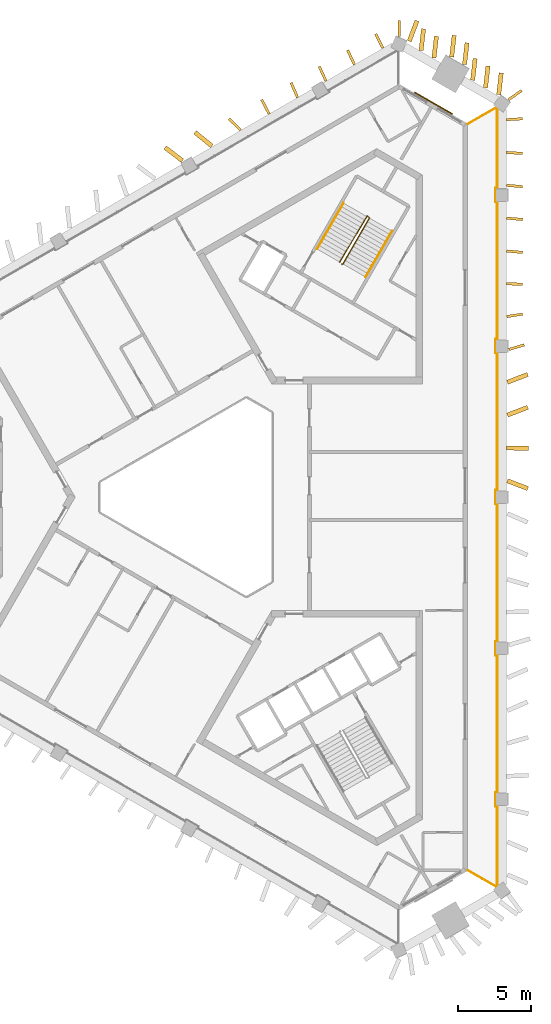
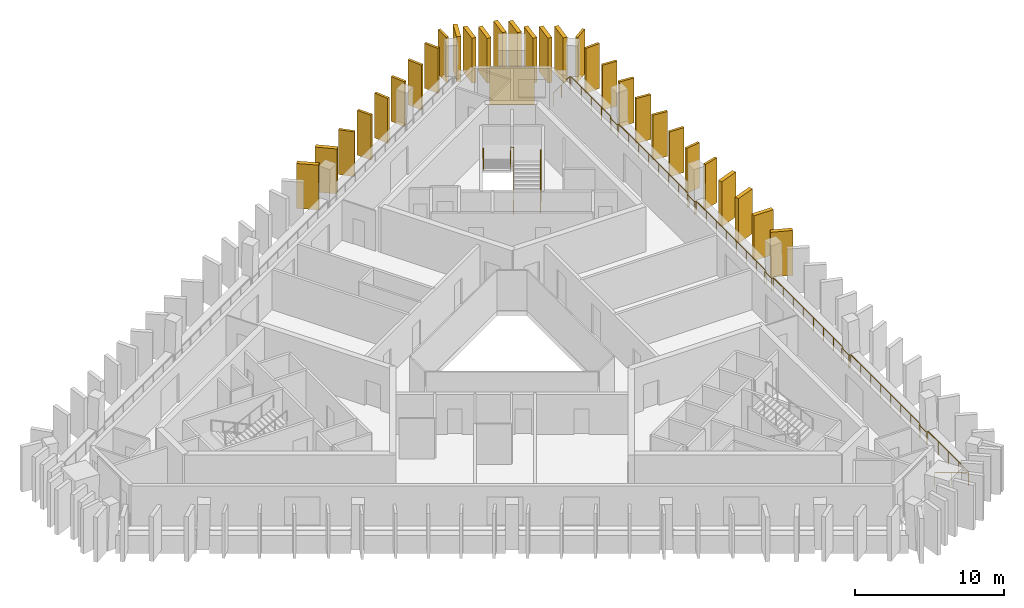
# One storey, part 9 of 9: 30 shading devices, 4 railings, 1 covering.
"""IFC4 building model written with IfcOpenShell, lengths in metres."""

from ifc_helpers import new_model, si_unit, direction, frame, frame_2d, origin, origin_2d, place, context, subcontext, project, spatial, rectangle, circle, extrude, material, layer, layer_set, type_object, element, save


model = new_model("IFC4")

# Units and contexts
model_context = context("Model", 3, precision=1e-05, world=origin(), true_north=direction((0.0, 1.0)))
body_context = subcontext(model_context, "Body", "Model", "MODEL_VIEW")
ifc_project = project(units=[si_unit("LENGTHUNIT", "METRE"), si_unit("AREAUNIT", "SQUARE_METRE"), si_unit("VOLUMEUNIT", "CUBIC_METRE"), si_unit("PLANEANGLEUNIT", "RADIAN"), si_unit("MASSUNIT", "GRAM", prefix="KILO")], contexts=[model_context])

# Site, building, storey
site_placement = place(None, origin())
site = spatial("IfcSite", under=ifc_project, at=site_placement, CompositionType="ELEMENT")
building_placement = place(site_placement, origin())
building = spatial("IfcBuilding", under=site, at=building_placement, Name="Jabali Bay Hotel Tower and Convention Centre", CompositionType="ELEMENT")
storey_placement = place(building_placement, frame((0.0, 0.0, 213.199951171875)))
storey = spatial("IfcBuildingStorey", under=building, at=storey_placement, Name="L52", CompositionType="ELEMENT", Elevation=213.199951171875)

# Railing
ifc_material_1 = material(Name="Glass", Category="glass")
railing_type_1 = type_object("IfcRailingType", Name="Loggia glass guard 1100", PredefinedType="BALUSTRADE", material=ifc_material_1)
railing_1_placement = place(storey_placement, frame((93.00146484375, 105.653564453125, 0.0)))
element("IfcRailing", 1, at=railing_1_placement, inside=storey, type_object=railing_type_1, Name="Loggia glass guard L52", PredefinedType="BALUSTRADE", context=body_context, shape_type="SweptSolid", body=[
    extrude(circle(Radius=0.02490234375, at=origin_2d()), frame((0.0, 0.0, 1.0751953125), z_axis=(0.866008297462, 0.50002962785, 0.0), x_axis=(-0.495751805066, 0.858599476426, 0.13052619222)), (0.0, 0.0, 1.0), 2.247314453125),
    extrude(circle(Radius=0.02490234375, at=origin_2d()), frame((1.9462890625, 1.123779296875, 1.0751953125), z_axis=(0.798254982386, -0.602319668528, 0.0), x_axis=(0.597166740266, 0.791425800353, 0.13052619222)), (0.0, 0.0, 1.0), 0.0673828125),
    extrude(circle(Radius=0.02490234375, at=origin_2d()), frame((2.0, 1.083251953125, 1.0751953125), z_axis=(0.0, -1.0, 0.0), x_axis=(0.991444861374, 0.0, 0.13052619222)), (0.0, 0.0, 1.0), 5.4892578125),
    extrude(circle(Radius=0.02490234375, at=origin_2d()), frame((2.0, -4.406005859375, 1.0751953125), z_axis=(-1.0, 0.0, 0.0), x_axis=(0.0, -0.991444861374, 0.13052619222)), (0.0, 0.0, 1.0), 0.125),
    extrude(circle(Radius=0.02490234375, at=origin_2d()), frame((1.875, -4.406005859375, 1.0751953125), z_axis=(0.0, -1.0, 0.0), x_axis=(0.991444861374, 0.0, 0.13052619222)), (0.0, 0.0, 1.0), 0.949951171875),
    extrude(circle(Radius=0.02490234375, at=origin_2d()), frame((1.875, -5.35595703125, 1.0751953125), z_axis=(1.0, 0.0, 0.0), x_axis=(0.0, 0.991444861374, 0.13052619222)), (0.0, 0.0, 1.0), 0.125),
    extrude(circle(Radius=0.02490234375, at=origin_2d()), frame((2.0, -5.35595703125, 1.0751953125), z_axis=(0.0, -1.0, 0.0), x_axis=(0.991444861374, 0.0, 0.13052619222)), (0.0, 0.0, 1.0), 9.436279296875),
    extrude(circle(Radius=0.02490234375, at=origin_2d()), frame((2.0, -14.792236328125, 1.0751953125), z_axis=(-1.0, 0.0, 0.0), x_axis=(0.0, -0.991444861374, 0.13052619222)), (0.0, 0.0, 1.0), 0.125),
    extrude(circle(Radius=0.02490234375, at=origin_2d()), frame((1.875, -14.792236328125, 1.0751953125), z_axis=(0.0, -1.0, 0.0), x_axis=(0.991444861374, 0.0, 0.13052619222)), (0.0, 0.0, 1.0), 0.949951171875),
    extrude(circle(Radius=0.02490234375, at=origin_2d()), frame((1.875, -15.7421875, 1.0751953125), z_axis=(1.0, 0.0, 0.0), x_axis=(0.0, 0.991444861374, 0.13052619222)), (0.0, 0.0, 1.0), 0.125),
    extrude(circle(Radius=0.02490234375, at=origin_2d()), frame((2.0, -15.7421875, 1.0751953125), z_axis=(0.0, -1.0, 0.0), x_axis=(0.991444861374, 0.0, 0.13052619222)), (0.0, 0.0, 1.0), 9.436279296875),
    extrude(circle(Radius=0.02490234375, at=origin_2d()), frame((2.0, -25.178466796875, 1.0751953125), z_axis=(-1.0, 0.0, 0.0), x_axis=(0.0, -0.991444861374, 0.13052619222)), (0.0, 0.0, 1.0), 0.125),
    extrude(circle(Radius=0.02490234375, at=origin_2d()), frame((1.875, -25.178466796875, 1.0751953125), z_axis=(0.0, -1.0, 0.0), x_axis=(0.991444861374, 0.0, 0.13052619222)), (0.0, 0.0, 1.0), 0.9501953125),
    extrude(circle(Radius=0.02490234375, at=origin_2d()), frame((1.875, -26.128662109375, 1.0751953125), z_axis=(1.0, 0.0, 0.0), x_axis=(0.0, 0.991444861374, 0.13052619222)), (0.0, 0.0, 1.0), 0.125),
    extrude(circle(Radius=0.02490234375, at=origin_2d()), frame((2.0, -26.128662109375, 1.0751953125), z_axis=(0.0, -1.0, 0.0), x_axis=(0.991444861374, 0.0, 0.13052619222)), (0.0, 0.0, 1.0), 9.436279296875),
    extrude(circle(Radius=0.02490234375, at=origin_2d()), frame((2.0, -35.56494140625, 1.0751953125), z_axis=(-1.0, 0.0, 0.0), x_axis=(0.0, -0.991444861374, 0.13052619222)), (0.0, 0.0, 1.0), 0.125),
    extrude(circle(Radius=0.02490234375, at=origin_2d()), frame((1.875, -35.56494140625, 1.0751953125), z_axis=(0.0, -1.0, 0.0), x_axis=(0.991444861374, 0.0, 0.13052619222)), (0.0, 0.0, 1.0), 0.949951171875),
    extrude(circle(Radius=0.02490234375, at=origin_2d()), frame((1.875, -36.514892578125, 1.0751953125), z_axis=(1.0, 0.0, 0.0), x_axis=(0.0, 0.991444861374, 0.13052619222)), (0.0, 0.0, 1.0), 0.125),
    extrude(circle(Radius=0.02490234375, at=origin_2d()), frame((2.0, -36.514892578125, 1.0751953125), z_axis=(0.0, -1.0, 0.0), x_axis=(0.991444861374, 0.0, 0.13052619222)), (0.0, 0.0, 1.0), 9.436279296875),
    extrude(circle(Radius=0.02490234375, at=origin_2d()), frame((2.0, -45.951171875, 1.0751953125), z_axis=(-1.0, 0.0, 0.0), x_axis=(0.0, -0.991444861374, 0.13052619222)), (0.0, 0.0, 1.0), 0.125),
    extrude(circle(Radius=0.02490234375, at=origin_2d()), frame((1.875, -45.951171875, 1.0751953125), z_axis=(0.0, -1.0, 0.0), x_axis=(0.991444861374, 0.0, 0.13052619222)), (0.0, 0.0, 1.0), 0.949951171875),
    extrude(circle(Radius=0.02490234375, at=origin_2d()), frame((1.875, -46.901123046875, 1.0751953125), z_axis=(1.0, 0.0, 0.0), x_axis=(0.0, 0.991444861374, 0.13052619222)), (0.0, 0.0, 1.0), 0.125),
    extrude(circle(Radius=0.02490234375, at=origin_2d()), frame((2.0, -46.901123046875, 1.0751953125), z_axis=(0.0, -1.0, 0.0), x_axis=(0.991444861374, 0.0, 0.13052619222)), (0.0, 0.0, 1.0), 5.4892578125),
    extrude(circle(Radius=0.02490234375, at=origin_2d()), frame((2.0, -52.390380859375, 1.0751953125), z_axis=(-0.798254982386, -0.602319668528, 0.0), x_axis=(0.597166740266, -0.791425800353, 0.13052619222)), (0.0, 0.0, 1.0), 0.0673828125),
    extrude(circle(Radius=0.02490234375, at=origin_2d()), frame((1.9462890625, -52.430908203125, 1.0751953125), z_axis=(-0.866008297462, 0.50002962785, 0.0), x_axis=(-0.495751805066, -0.858599476426, 0.13052619222)), (0.0, 0.0, 1.0), 2.247314453125),
    extrude(circle(Radius=0.02001953125, at=origin_2d()), origin(), (0.0, 0.0, 1.0), 1.050048828125),
    extrude(circle(Radius=0.02001953125, at=origin_2d()), frame((0.97314453125, 0.56201171875, 0.0)), (0.0, 0.0, 1.0), 1.050048828125),
    extrude(circle(Radius=0.02001953125, at=origin_2d()), frame((1.9462890625, 1.123779296875, 0.0)), (0.0, 0.0, 1.0), 1.050048828125),
    extrude(circle(Radius=0.02001953125, at=origin_2d()), frame((2.0, 1.083251953125, 0.0)), (0.0, 0.0, 1.0), 1.050048828125),
    extrude(circle(Radius=0.02001953125, at=origin_2d()), frame((2.0, -0.2890625, 0.0)), (0.0, 0.0, 1.0), 1.050048828125),
    extrude(circle(Radius=0.02001953125, at=origin_2d()), frame((2.0, -1.661376953125, 0.0)), (0.0, 0.0, 1.0), 1.050048828125),
    extrude(circle(Radius=0.02001953125, at=origin_2d()), frame((2.0, -3.03369140625, 0.0)), (0.0, 0.0, 1.0), 1.050048828125),
    extrude(circle(Radius=0.02001953125, at=origin_2d()), frame((2.0, -4.406005859375, 0.0)), (0.0, 0.0, 1.0), 1.050048828125),
    extrude(circle(Radius=0.02001953125, at=origin_2d()), frame((1.875, -4.406005859375, 0.0)), (0.0, 0.0, 1.0), 1.050048828125),
    extrude(circle(Radius=0.02001953125, at=origin_2d()), frame((1.875, -5.35595703125, 0.0)), (0.0, 0.0, 1.0), 1.050048828125),
    extrude(circle(Radius=0.02001953125, at=origin_2d()), frame((2.0, -5.35595703125, 0.0)), (0.0, 0.0, 1.0), 1.050048828125),
    extrude(circle(Radius=0.02001953125, at=origin_2d()), frame((2.0, -6.7041015625, 0.0)), (0.0, 0.0, 1.0), 1.050048828125),
    extrude(circle(Radius=0.02001953125, at=origin_2d()), frame((2.0, -8.052001953125, 0.0)), (0.0, 0.0, 1.0), 1.050048828125),
    extrude(circle(Radius=0.02001953125, at=origin_2d()), frame((2.0, -9.400146484375, 0.0)), (0.0, 0.0, 1.0), 1.050048828125),
    extrude(circle(Radius=0.02001953125, at=origin_2d()), frame((2.0, -10.748046875, 0.0)), (0.0, 0.0, 1.0), 1.050048828125),
    extrude(circle(Radius=0.02001953125, at=origin_2d()), frame((2.0, -12.09619140625, 0.0)), (0.0, 0.0, 1.0), 1.050048828125),
    extrude(circle(Radius=0.02001953125, at=origin_2d()), frame((2.0, -13.444091796875, 0.0)), (0.0, 0.0, 1.0), 1.050048828125),
    extrude(circle(Radius=0.02001953125, at=origin_2d()), frame((2.0, -14.792236328125, 0.0)), (0.0, 0.0, 1.0), 1.050048828125),
    extrude(circle(Radius=0.02001953125, at=origin_2d()), frame((1.875, -14.792236328125, 0.0)), (0.0, 0.0, 1.0), 1.050048828125),
    extrude(circle(Radius=0.02001953125, at=origin_2d()), frame((1.875, -15.7421875, 0.0)), (0.0, 0.0, 1.0), 1.050048828125),
    extrude(circle(Radius=0.02001953125, at=origin_2d()), frame((2.0, -15.7421875, 0.0)), (0.0, 0.0, 1.0), 1.050048828125),
    extrude(circle(Radius=0.02001953125, at=origin_2d()), frame((2.0, -17.09033203125, 0.0)), (0.0, 0.0, 1.0), 1.050048828125),
    extrude(circle(Radius=0.02001953125, at=origin_2d()), frame((2.0, -18.438232421875, 0.0)), (0.0, 0.0, 1.0), 1.050048828125),
    extrude(circle(Radius=0.02001953125, at=origin_2d()), frame((2.0, -19.786376953125, 0.0)), (0.0, 0.0, 1.0), 1.050048828125),
    extrude(circle(Radius=0.02001953125, at=origin_2d()), frame((2.0, -21.13427734375, 0.0)), (0.0, 0.0, 1.0), 1.050048828125),
    extrude(circle(Radius=0.02001953125, at=origin_2d()), frame((2.0, -22.482421875, 0.0)), (0.0, 0.0, 1.0), 1.050048828125),
    extrude(circle(Radius=0.02001953125, at=origin_2d()), frame((2.0, -23.830322265625, 0.0)), (0.0, 0.0, 1.0), 1.050048828125),
    extrude(circle(Radius=0.02001953125, at=origin_2d()), frame((2.0, -25.178466796875, 0.0)), (0.0, 0.0, 1.0), 1.050048828125),
    extrude(circle(Radius=0.02001953125, at=origin_2d()), frame((1.875, -25.178466796875, 0.0)), (0.0, 0.0, 1.0), 1.050048828125),
    extrude(circle(Radius=0.02001953125, at=origin_2d()), frame((1.875, -26.128662109375, 0.0)), (0.0, 0.0, 1.0), 1.050048828125),
    extrude(circle(Radius=0.02001953125, at=origin_2d()), frame((2.0, -26.128662109375, 0.0)), (0.0, 0.0, 1.0), 1.050048828125),
    extrude(circle(Radius=0.02001953125, at=origin_2d()), frame((2.0, -27.476806640625, 0.0)), (0.0, 0.0, 1.0), 1.050048828125),
    extrude(circle(Radius=0.02001953125, at=origin_2d()), frame((2.0, -28.82470703125, 0.0)), (0.0, 0.0, 1.0), 1.050048828125),
    extrude(circle(Radius=0.02001953125, at=origin_2d()), frame((2.0, -30.1728515625, 0.0)), (0.0, 0.0, 1.0), 1.050048828125),
    extrude(circle(Radius=0.02001953125, at=origin_2d()), frame((2.0, -31.520751953125, 0.0)), (0.0, 0.0, 1.0), 1.050048828125),
    extrude(circle(Radius=0.02001953125, at=origin_2d()), frame((2.0, -32.868896484375, 0.0)), (0.0, 0.0, 1.0), 1.050048828125),
    extrude(circle(Radius=0.02001953125, at=origin_2d()), frame((2.0, -34.216796875, 0.0)), (0.0, 0.0, 1.0), 1.050048828125),
    extrude(circle(Radius=0.02001953125, at=origin_2d()), frame((2.0, -35.56494140625, 0.0)), (0.0, 0.0, 1.0), 1.050048828125),
    extrude(circle(Radius=0.02001953125, at=origin_2d()), frame((1.875, -35.56494140625, 0.0)), (0.0, 0.0, 1.0), 1.050048828125),
    extrude(circle(Radius=0.02001953125, at=origin_2d()), frame((1.875, -36.514892578125, 0.0)), (0.0, 0.0, 1.0), 1.050048828125),
    extrude(circle(Radius=0.02001953125, at=origin_2d()), frame((2.0, -36.514892578125, 0.0)), (0.0, 0.0, 1.0), 1.050048828125),
    extrude(circle(Radius=0.02001953125, at=origin_2d()), frame((2.0, -37.863037109375, 0.0)), (0.0, 0.0, 1.0), 1.050048828125),
    extrude(circle(Radius=0.02001953125, at=origin_2d()), frame((2.0, -39.2109375, 0.0)), (0.0, 0.0, 1.0), 1.050048828125),
    extrude(circle(Radius=0.02001953125, at=origin_2d()), frame((2.0, -40.55908203125, 0.0)), (0.0, 0.0, 1.0), 1.050048828125),
    extrude(circle(Radius=0.02001953125, at=origin_2d()), frame((2.0, -41.906982421875, 0.0)), (0.0, 0.0, 1.0), 1.050048828125),
    extrude(circle(Radius=0.02001953125, at=origin_2d()), frame((2.0, -43.255126953125, 0.0)), (0.0, 0.0, 1.0), 1.050048828125),
    extrude(circle(Radius=0.02001953125, at=origin_2d()), frame((2.0, -44.60302734375, 0.0)), (0.0, 0.0, 1.0), 1.050048828125),
    extrude(circle(Radius=0.02001953125, at=origin_2d()), frame((2.0, -45.951171875, 0.0)), (0.0, 0.0, 1.0), 1.050048828125),
    extrude(circle(Radius=0.02001953125, at=origin_2d()), frame((1.875, -45.951171875, 0.0)), (0.0, 0.0, 1.0), 1.050048828125),
    extrude(circle(Radius=0.02001953125, at=origin_2d()), frame((1.875, -46.901123046875, 0.0)), (0.0, 0.0, 1.0), 1.050048828125),
    extrude(circle(Radius=0.02001953125, at=origin_2d()), frame((2.0, -46.901123046875, 0.0)), (0.0, 0.0, 1.0), 1.050048828125),
    extrude(circle(Radius=0.02001953125, at=origin_2d()), frame((2.0, -48.2734375, 0.0)), (0.0, 0.0, 1.0), 1.050048828125),
    extrude(circle(Radius=0.02001953125, at=origin_2d()), frame((2.0, -49.645751953125, 0.0)), (0.0, 0.0, 1.0), 1.050048828125),
    extrude(circle(Radius=0.02001953125, at=origin_2d()), frame((2.0, -51.01806640625, 0.0)), (0.0, 0.0, 1.0), 1.050048828125),
    extrude(circle(Radius=0.02001953125, at=origin_2d()), frame((2.0, -52.390380859375, 0.0)), (0.0, 0.0, 1.0), 1.050048828125),
    extrude(circle(Radius=0.02001953125, at=origin_2d()), frame((1.9462890625, -52.430908203125, 0.0)), (0.0, 0.0, 1.0), 1.050048828125),
    extrude(circle(Radius=0.02001953125, at=origin_2d()), frame((0.97314453125, -51.869140625, 0.0)), (0.0, 0.0, 1.0), 1.050048828125),
    extrude(circle(Radius=0.02001953125, at=origin_2d()), frame((0.0, -51.30712890625, 0.0)), (0.0, 0.0, 1.0), 1.050048828125),
])

# Shading devices
ifc_material_2 = material(Name="Precast concrete C60", Category="concrete")
ifc_layer_1 = layer(ifc_material_2, 0.179931640625)
ifc_layer_set_1 = layer_set([ifc_layer_1], Name="Precast concrete C60")
shading_device_type_1 = type_object("IfcShadingDeviceType", Name="Precast fin 3680 x 1100", PredefinedType="USERDEFINED", material=ifc_layer_set_1)
for number, where, z_axis, x_axis, name in (
    (2, (95.8017578125, 90.150634765625, 0.010009765625), (0.0, 0.0, 1.0), (0.959195697667, 0.28274301685, 0.0), "Fin L52 016"),
    (3, (95.658447265625, 92.40625, 0.010009765625), (0.0, 0.0, 1.0), (0.986751465073, 0.162239163511, 0.0), "Fin L52 017"),
):
    element("IfcShadingDevice", number, at=place(storey_placement, frame(where, z_axis=z_axis, x_axis=x_axis)), inside=storey, type_object=shading_device_type_1, Name=name, ObjectType="FIN", PredefinedType="USERDEFINED", context=body_context, shape_type="SweptSolid", body=[
        extrude(rectangle(XDim=1.10009765625, YDim=0.179931640625, at=frame_2d((0.550048828125, 0.0))), origin(), (0.0, 0.0, 1.0), 3.679931640625),
    ])
for number, where, z_axis, x_axis, name in (
    (4, (95.64599609375, 94.661865234375, 0.010009765625), (0.0, 0.0, 1.0), (0.999701898349, -0.024415454889, 0.0), "Fin L52 018"),
    (5, (95.652099609375, 96.91748046875, 0.010009765625), (0.0, 0.0, 1.0), (0.99572783416, -0.092336776418, 0.0), "Fin L52 019"),
    (6, (95.651611328125, 99.173095703125, 0.010009765625), (0.0, 0.0, 1.0), (0.996342331037, -0.085451503107, 0.0), "Fin L52 020"),
):
    element("IfcShadingDevice", number, at=place(storey_placement, frame(where, z_axis=z_axis, x_axis=x_axis)), inside=storey, type_object=shading_device_type_1, Name=name, ObjectType="FIN", PredefinedType="USERDEFINED", context=body_context, shape_type="SweptSolid", body=[
        extrude(rectangle(XDim=1.099853515625, YDim=0.179931640625, at=frame_2d((0.5498046875, 0.0))), origin(), (0.0, 0.0, 1.0), 3.679931640625),
    ])
shading_device_1_placement = place(storey_placement, frame((95.6513671875, 101.428955078125, 0.010009765625), z_axis=(0.0, 0.0, 1.0), x_axis=(0.996512002617, -0.083449557457, 0.0)))
element("IfcShadingDevice", 7, at=shading_device_1_placement, inside=storey, type_object=shading_device_type_1, Name="Fin L52 021", ObjectType="FIN", PredefinedType="USERDEFINED", context=body_context, shape_type="SweptSolid", body=[
    extrude(rectangle(XDim=1.10009765625, YDim=0.179931640625, at=frame_2d((0.550048828125, 0.0))), origin(), (0.0, 0.0, 1.0), 3.679931640625),
])
for number, where, z_axis, x_axis, name in (
    (8, (95.649169921875, 103.6845703125, 0.010009765625), (0.0, 0.0, 1.0), (0.998294218493, -0.058383673441, 0.0), "Fin L52 022"),
    (9, (95.64892578125, 105.940185546875, 0.010009765625), (0.0, 0.0, 1.0), (0.998384311949, 0.056822228515, 0.0), "Fin L52 023"),
    (10, (87.14013671875, 110.85302734375, 0.010009765625), (0.0, 0.0, 1.0), (-0.445259248239, 0.895401698601, 0.0), "Fin L52 032"),
):
    element("IfcShadingDevice", number, at=place(storey_placement, frame(where, z_axis=z_axis, x_axis=x_axis)), inside=storey, type_object=shading_device_type_1, Name=name, ObjectType="FIN", PredefinedType="USERDEFINED", context=body_context, shape_type="SweptSolid", body=[
        extrude(rectangle(XDim=1.099853515625, YDim=0.179931640625, at=frame_2d((0.5498046875, 0.0))), origin(), (0.0, 0.0, 1.0), 3.679931640625),
    ])
shading_device_2_placement = place(storey_placement, frame((85.185791015625, 109.72705078125, 0.010009765625), z_axis=(0.0, 0.0, 1.0), x_axis=(-0.424342896049, 0.905501577344, 0.0)))
element("IfcShadingDevice", 11, at=shading_device_2_placement, inside=storey, type_object=shading_device_type_1, Name="Fin L52 033", ObjectType="FIN", PredefinedType="USERDEFINED", context=body_context, shape_type="SweptSolid", body=[
    extrude(rectangle(XDim=1.10009765625, YDim=0.179931640625, at=frame_2d((0.550048828125, 0.0))), origin(), (0.0, 0.0, 1.0), 3.679931640625),
])
for number, where, z_axis, x_axis, name in (
    (12, (83.23193359375, 108.599609375, 0.010009765625), (0.0, 0.0, 1.0), (-0.418847029159, 0.908056807785, 0.0), "Fin L52 034"),
    (13, (81.277587890625, 107.473388671875, 0.010009765625), (0.0, 0.0, 1.0), (-0.401086627647, 0.916040128555, 0.0), "Fin L52 035"),
):
    element("IfcShadingDevice", number, at=place(storey_placement, frame(where, z_axis=z_axis, x_axis=x_axis)), inside=storey, type_object=shading_device_type_1, Name=name, ObjectType="FIN", PredefinedType="USERDEFINED", context=body_context, shape_type="SweptSolid", body=[
        extrude(rectangle(XDim=1.099853515625, YDim=0.179931640625, at=frame_2d((0.5498046875, 0.0))), origin(), (0.0, 0.0, 1.0), 3.679931640625),
    ])
for number, where, z_axis, x_axis, name in (
    (14, (79.327392578125, 106.33984375, 0.010009765625), (0.0, 0.0, 1.0), (-0.465847047958, 0.884865259748, 0.0), "Fin L52 036"),
    (15, (77.363525390625, 105.230224609375, 0.010009765625), (0.0, 0.0, 1.0), (-0.71658501893, 0.697499756735, 0.0), "Fin L52 037"),
    (16, (95.77783203125, 107.314208984375, 0.010009765625), (0.0, 0.0, 1.0), (0.822016386523, 0.569463835804, 0.0), "Fin L52 097"),
):
    element("IfcShadingDevice", number, at=place(storey_placement, frame(where, z_axis=z_axis, x_axis=x_axis)), inside=storey, type_object=shading_device_type_1, Name=name, ObjectType="FIN", PredefinedType="USERDEFINED", context=body_context, shape_type="SweptSolid", body=[
        extrude(rectangle(XDim=1.10009765625, YDim=0.179931640625, at=frame_2d((0.550048828125, 0.0))), origin(), (0.0, 0.0, 1.0), 3.679931640625),
    ])
shading_device_3_placement = place(storey_placement, frame((88.265869140625, 111.6591796875, 0.010009765625), z_axis=(0.0, 0.0, 1.0), x_axis=(-0.003329615284, 0.999994456816, 0.0)))
element("IfcShadingDevice", 17, at=shading_device_3_placement, inside=storey, type_object=shading_device_type_1, Name="Fin L52 098", ObjectType="FIN", PredefinedType="USERDEFINED", context=body_context, shape_type="SweptSolid", body=[
    extrude(rectangle(XDim=1.099853515625, YDim=0.179931640625, at=frame_2d((0.5498046875, 0.0))), origin(), (0.0, 0.0, 1.0), 3.679931640625),
])
ifc_layer_2 = layer(ifc_material_2, 0.300048828125)
ifc_layer_set_2 = layer_set([ifc_layer_2], Name="Precast concrete C60")
shading_device_type_2 = type_object("IfcShadingDeviceType", Name="Precast fin 3680 x 1500", PredefinedType="USERDEFINED", material=ifc_layer_set_2)
shading_device_4_placement = place(storey_placement, frame((95.697021484375, 81.1279296875, 0.010009765625), z_axis=(0.0, 0.0, 1.0), x_axis=(0.934639759026, -0.355596007918, 0.0)))
element("IfcShadingDevice", 18, at=shading_device_4_placement, inside=storey, type_object=shading_device_type_2, Name="Fin L52 012", ObjectType="FIN", PredefinedType="USERDEFINED", context=body_context, shape_type="SweptSolid", body=[
    extrude(rectangle(XDim=1.500244140625, YDim=0.300048828125, at=frame_2d((0.75, 0.0))), origin(), (0.0, 0.0, 1.0), 3.679931640625),
])
for number, where, z_axis, x_axis, name in (
    (19, (95.646240234375, 83.383544921875, 0.010009765625), (0.0, 0.0, 1.0), (0.999877912303, -0.015625635615, 0.0), "Fin L52 013"),
    (20, (95.697265625, 85.63916015625, 0.010009765625), (0.0, 0.0, 1.0), (0.934069399325, 0.357091525025, 0.0), "Fin L52 014"),
    (21, (95.697998046875, 87.894775390625, 0.010009765625), (0.0, 0.0, 1.0), (0.932495607389, 0.361181314854, 0.0), "Fin L52 015"),
    (22, (95.102294921875, 107.659423828125, 0.010009765625), (0.0, 0.0, 1.0), (0.114753848896, 0.993393957181, 0.0), "Fin L52 024"),
    (23, (94.196044921875, 108.135009765625, 0.010009765625), (0.0, 0.0, 1.0), (0.114753848896, 0.993393957181, 0.0), "Fin L52 025"),
    (24, (93.310302734375, 108.646484375, 0.010009765625), (0.0, 0.0, 1.0), (0.114914472364, 0.993375389287, 0.0), "Fin L52 026"),
    (25, (92.756103515625, 109.731689453125, 0.010009765625), (0.0, 0.0, 1.0), (0.114753848896, 0.993393957181, 0.0), "Fin L52 027"),
    (26, (91.870361328125, 110.242919921875, 0.010009765625), (0.0, 0.0, 1.0), (0.114753848896, 0.993393957181, 0.0), "Fin L52 028"),
    (27, (90.6533203125, 110.180419921875, 0.010009765625), (0.0, 0.0, 1.0), (0.114753848896, 0.993393957181, 0.0), "Fin L52 029"),
    (28, (89.767578125, 110.69189453125, 0.010009765625), (0.0, 0.0, 1.0), (0.114914472364, 0.993375389287, 0.0), "Fin L52 030"),
):
    element("IfcShadingDevice", number, at=place(storey_placement, frame(where, z_axis=z_axis, x_axis=x_axis)), inside=storey, type_object=shading_device_type_2, Name=name, ObjectType="FIN", PredefinedType="USERDEFINED", context=body_context, shape_type="SweptSolid", body=[
        extrude(rectangle(XDim=1.5, YDim=0.300048828125, at=frame_2d((0.75, 0.0))), origin(), (0.0, 0.0, 1.0), 3.679931640625),
    ])
shading_device_5_placement = place(storey_placement, frame((88.956787109375, 111.332763671875, 0.010009765625), z_axis=(0.0, 0.0, 1.0), x_axis=(0.354296067395, 0.935133304203, 0.0)))
element("IfcShadingDevice", 29, at=shading_device_5_placement, inside=storey, type_object=shading_device_type_2, Name="Fin L52 031", ObjectType="FIN", PredefinedType="USERDEFINED", context=body_context, shape_type="SweptSolid", body=[
    extrude(rectangle(XDim=1.500244140625, YDim=0.300048828125, at=frame_2d((0.75, 0.0))), origin(), (0.0, 0.0, 1.0), 3.679931640625),
])
shading_device_6_placement = place(storey_placement, frame((75.3955078125, 104.12744140625, 0.010009765625), z_axis=(0.0, 0.0, 1.0), x_axis=(-0.775521234259, 0.631321483251, 0.0)))
element("IfcShadingDevice", 30, at=shading_device_6_placement, inside=storey, type_object=shading_device_type_2, Name="Fin L52 038", ObjectType="FIN", PredefinedType="USERDEFINED", context=body_context, shape_type="SweptSolid", body=[
    extrude(rectangle(XDim=1.5, YDim=0.300048828125, at=frame_2d((0.75, 0.0))), origin(), (0.0, 0.0, 1.0), 3.679931640625),
])
shading_device_7_placement = place(storey_placement, frame((73.37353515625, 103.118408203125, 0.010009765625), z_axis=(0.0, 0.0, 1.0), x_axis=(-0.796293886896, 0.604909948415, 0.0)))
element("IfcShadingDevice", 31, at=shading_device_7_placement, inside=storey, type_object=shading_device_type_2, Name="Fin L52 039", ObjectType="FIN", PredefinedType="USERDEFINED", context=body_context, shape_type="SweptSolid", body=[
    extrude(rectangle(XDim=1.500244140625, YDim=0.300048828125, at=frame_2d((0.75, 0.0))), origin(), (0.0, 0.0, 1.0), 3.679931640625),
])

# Covering
ifc_material_3 = material(Name="Precast concrete C40/50", Category="concrete")
ifc_layer_3 = layer(ifc_material_3, 0.080078125)
ifc_layer_set_3 = layer_set([ifc_layer_3], Name="Precast concrete C40/50")
covering_type = type_object("IfcCoveringType", Name="Relief panel 3000 x 3100", PredefinedType="CLADDING", material=ifc_layer_set_3)
covering_placement = place(storey_placement, frame((90.628662109375, 107.069580078125, 0.10009765625), z_axis=(0.0, 0.0, 1.0), x_axis=(0.866025444555, -0.499999929383, 0.0)))
element("IfcCovering", 32, at=covering_placement, inside=storey, type_object=covering_type, Name="Relief panel L52", PredefinedType="CLADDING", context=body_context, shape_type="SweptSolid", body=[
    extrude(rectangle(XDim=3.0, YDim=0.080078125, at=origin_2d()), origin(), (0.0, 0.0, 1.0), 3.10009765625),
])

# Railings
ifc_material_4 = material(Name="Steel Q355B", Category="steel")
railing_type_2 = type_object("IfcRailingType", Name="Stair guard 1100", PredefinedType="GUARDRAIL", material=ifc_material_4)
railing_2_placement = place(storey_placement, frame((84.329833984375, 96.010009765625, 0.0)))
element("IfcRailing", 33, at=railing_2_placement, inside=storey, type_object=railing_type_2, Name="L52 ST2 stair guard 1", PredefinedType="GUARDRAIL", context=body_context, shape_type="SweptSolid", body=[
    extrude(circle(Radius=0.02392578125, at=origin_2d()), frame((0.0, 0.0, 1.076171875), z_axis=(0.456201556387, 0.122196845461, 0.881446578591), x_axis=(-0.258736085224, 0.965948051503, 0.0)), (0.0, 0.0, 1.0), 0.14990234375),
    extrude(circle(Radius=0.02392578125, at=origin_2d()), frame((0.068359375, 0.018310546875, 1.2080078125), z_axis=(0.45217862506, 0.783169739339, 0.426825081763), x_axis=(-0.866018046521, 0.500012742938, 0.0)), (0.0, 0.0, 1.0), 4.025146484375),
    extrude(circle(Radius=0.02392578125, at=origin_2d()), frame((1.888427734375, 3.170654296875, 2.92626953125), z_axis=(-0.718850276695, 0.695164929852, 0.0), x_axis=(-0.695164929852, -0.718850276695, 0.0)), (0.0, 0.0, 1.0), 0.2060546875),
    extrude(circle(Radius=0.02392578125, at=origin_2d()), frame((1.740234375, 3.31396484375, 2.92626953125), z_axis=(-0.457457462341, -0.768067235091, 0.448113147015), x_axis=(0.859157857954, -0.511710636118, 0.0)), (0.0, 0.0, 1.0), 4.128173828125),
    extrude(circle(Radius=0.02099609375, at=origin_2d()), origin(), (0.0, 0.0, 1.0), 1.052001953125),
    extrude(circle(Radius=0.02099609375, at=origin_2d()), frame((0.068359375, 0.018310546875, 0.132080078125)), (0.0, 0.0, 1.0), 1.052001953125),
    extrude(circle(Radius=0.02099609375, at=origin_2d()), frame((0.5234375, 0.806396484375, 0.5615234375)), (0.0, 0.0, 1.0), 1.052001953125),
    extrude(circle(Radius=0.02099609375, at=origin_2d()), frame((0.978515625, 1.594482421875, 0.9912109375)), (0.0, 0.0, 1.0), 1.052001953125),
    extrude(circle(Radius=0.02099609375, at=origin_2d()), frame((1.433349609375, 2.382568359375, 1.420654296875)), (0.0, 0.0, 1.0), 1.052001953125),
    extrude(circle(Radius=0.02099609375, at=origin_2d()), frame((1.888427734375, 3.170654296875, 1.85009765625)), (0.0, 0.0, 1.0), 1.052001953125),
    extrude(circle(Radius=0.02099609375, at=origin_2d()), frame((1.740234375, 3.31396484375, 1.85009765625)), (0.0, 0.0, 1.0), 1.052001953125),
    extrude(circle(Radius=0.02099609375, at=origin_2d()), frame((1.26806640625, 2.521240234375, 2.3125)), (0.0, 0.0, 1.0), 1.052001953125),
    extrude(circle(Radius=0.02099609375, at=origin_2d()), frame((0.7958984375, 1.728515625, 2.77490234375)), (0.0, 0.0, 1.0), 1.052001953125),
    extrude(circle(Radius=0.02099609375, at=origin_2d()), frame((0.323974609375, 0.93603515625, 3.237548828125)), (0.0, 0.0, 1.0), 1.052001953125),
    extrude(circle(Radius=0.02099609375, at=origin_2d()), frame((-0.148193359375, 0.143310546875, 3.699951171875)), (0.0, 0.0, 1.0), 1.052001953125),
])
railing_type_3 = type_object("IfcRailingType", Name="Stair handrail 900", PredefinedType="HANDRAIL", material=ifc_material_4)
railing_3_placement = place(storey_placement, frame((85.95703125, 95.128173828125, 0.132080078125)))
element("IfcRailing", 34, at=railing_3_placement, inside=storey, type_object=railing_type_3, Name="L52 ST2 stair handrail 1", PredefinedType="HANDRAIL", context=body_context, shape_type="SweptSolid", body=[
    extrude(circle(Radius=0.02392578125, at=origin_2d()), frame((0.0, 0.0, 0.8759765625), z_axis=(0.45217862506, 0.783169739339, 0.426825081763), x_axis=(-0.866018046521, 0.500012742938, 0.0)), (0.0, 0.0, 1.0), 4.025146484375),
    extrude(circle(Radius=0.02099609375, at=origin_2d()), origin(), (0.0, 0.0, 1.0), 0.851806640625),
    extrude(circle(Radius=0.02099609375, at=origin_2d()), frame((0.455078125, 0.7880859375, 0.429443359375)), (0.0, 0.0, 1.0), 0.851806640625),
    extrude(circle(Radius=0.02099609375, at=origin_2d()), frame((0.91015625, 1.576171875, 0.85888671875)), (0.0, 0.0, 1.0), 0.851806640625),
    extrude(circle(Radius=0.02099609375, at=origin_2d()), frame((1.364990234375, 2.3642578125, 1.28857421875)), (0.0, 0.0, 1.0), 0.851806640625),
    extrude(circle(Radius=0.02099609375, at=origin_2d()), frame((1.820068359375, 3.15234375, 1.718017578125)), (0.0, 0.0, 1.0), 0.851806640625),
])
railing_4_placement = place(storey_placement, frame((84.44287109375, 100.20556640625, 1.982177734375)))
element("IfcRailing", 35, at=railing_4_placement, inside=storey, type_object=railing_type_3, Name="L52 ST2 stair handrail 2", PredefinedType="HANDRAIL", context=body_context, shape_type="SweptSolid", body=[
    extrude(circle(Radius=0.02392578125, at=origin_2d()), frame((0.0, 0.0, 0.8759765625), z_axis=(-0.452190331055, -0.783190014029, 0.426775475427), x_axis=(0.866018046521, -0.500012742938, 0.0)), (0.0, 0.0, 1.0), 4.02490234375),
    extrude(circle(Radius=0.02099609375, at=origin_2d()), origin(), (0.0, 0.0, 1.0), 0.851806640625),
    extrude(circle(Radius=0.02099609375, at=origin_2d()), frame((-0.455078125, -0.7880859375, 0.429443359375)), (0.0, 0.0, 1.0), 0.851806640625),
    extrude(circle(Radius=0.02099609375, at=origin_2d()), frame((-0.91015625, -1.576171875, 0.85888671875)), (0.0, 0.0, 1.0), 0.851806640625),
    extrude(circle(Radius=0.02099609375, at=origin_2d()), frame((-1.364990234375, -2.3642578125, 1.288330078125)), (0.0, 0.0, 1.0), 0.851806640625),
    extrude(circle(Radius=0.02099609375, at=origin_2d()), frame((-1.820068359375, -3.15234375, 1.7177734375)), (0.0, 0.0, 1.0), 0.851806640625),
])

save(model, "model.ifc")
